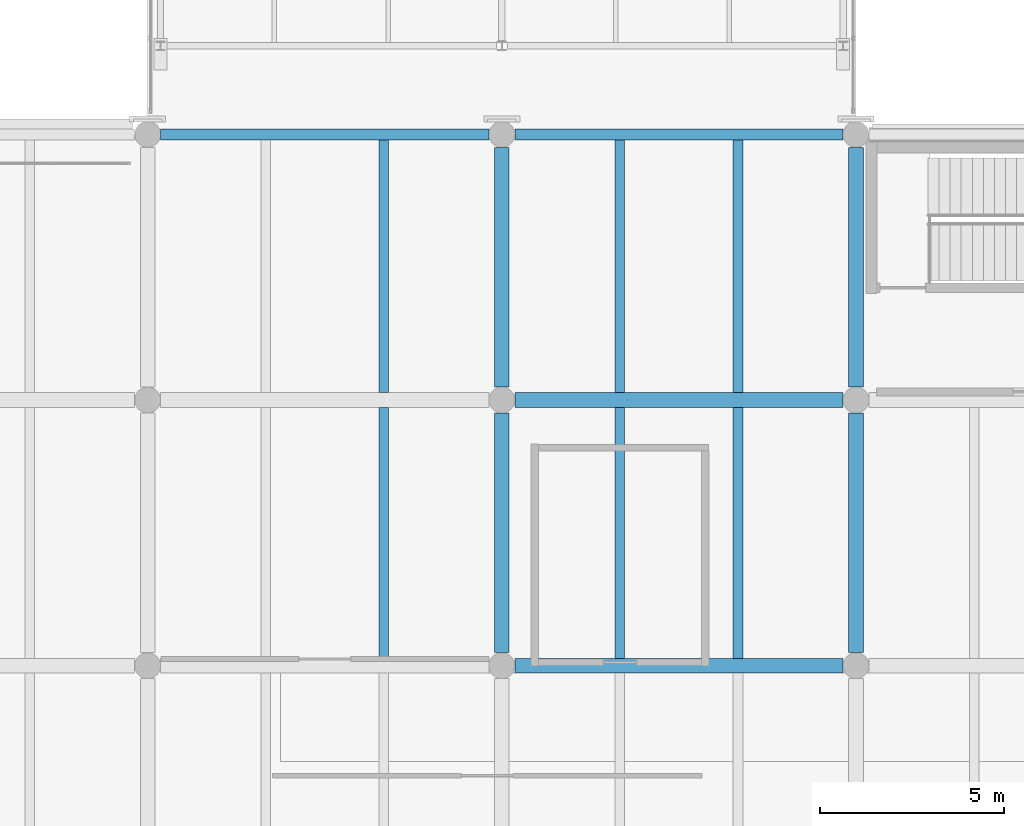
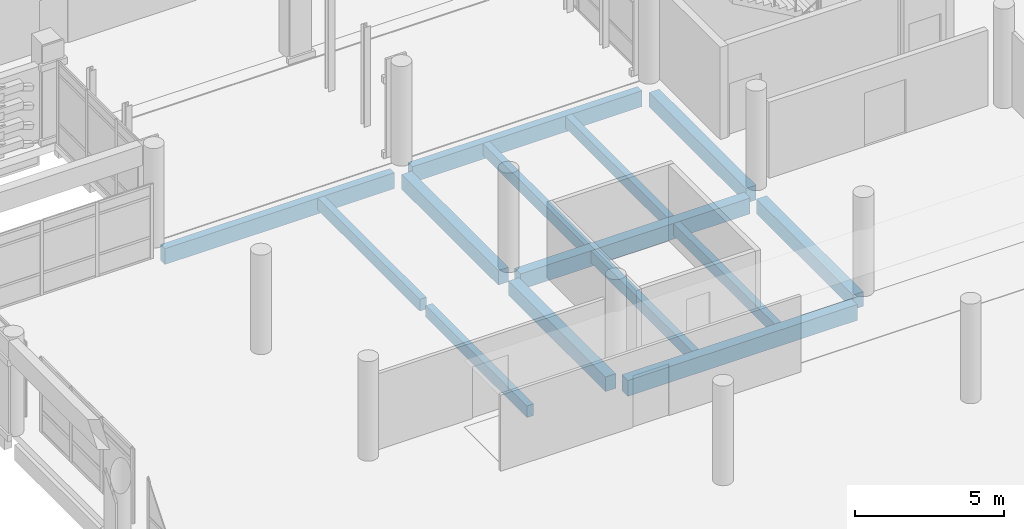
# One storey, part 43 of 180: 14 beams.
"""IFC4 building model written with IfcOpenShell, lengths in metres."""

from ifc_helpers import new_model, si_unit, direction, frame, origin, origin_2d, place, context, subcontext, project, spatial, rectangle, extrude, material, material_profile, profile_set, type_object, element, save


model = new_model("IFC4")

# Units and contexts
model_context = context("Model", 3, precision=1e-05, world=origin(), true_north=direction((0.0, 1.0)))
body_context = subcontext(model_context, "Body", "Model", "MODEL_VIEW")
ifc_project = project(units=[si_unit("LENGTHUNIT", "METRE"), si_unit("AREAUNIT", "SQUARE_METRE"), si_unit("VOLUMEUNIT", "CUBIC_METRE"), si_unit("PLANEANGLEUNIT", "RADIAN"), si_unit("MASSUNIT", "GRAM", prefix="KILO")], contexts=[model_context])

# Site, building, storey
site_placement = place(None, origin())
site = spatial("IfcSite", under=ifc_project, at=site_placement, CompositionType="ELEMENT")
building_placement = place(site_placement, origin())
building = spatial("IfcBuilding", under=site, at=building_placement, Name="Asteropetra Specialist Clinic", CompositionType="ELEMENT")
storey_placement = place(building_placement, frame((0.0, 0.0, 4.419921875)))
storey = spatial("IfcBuildingStorey", under=building, at=storey_placement, Name="L01", CompositionType="ELEMENT", Elevation=4.419921875)

# Beams
ifc_material_1 = material(Name="Concrete C35/45", Category="concrete")
ifc_material_profile_1 = material_profile(ifc_material_1, rectangle(XDim=0.39990234375, YDim=0.60009765625, at=origin_2d()), Name="RCB 400x600")
ifc_profile_set_1 = profile_set([ifc_material_profile_1], Name="Concrete C35/45")
beam_type_1 = type_object("IfcBeamType", Name="BM-RC400x600", PredefinedType="BEAM", material=ifc_profile_set_1)
for number, where, z_axis, x_axis, name in (
    (1, (19.199951171875, 48.35009765625, -0.599853515625), (0.0, 1.0, 0.0), (-1.0, 0.0, 0.0), "Beam BBM08-0366"),
    (2, (28.800048828125, 48.35009765625, -0.599853515625), (0.0, 1.0, 0.0), (-1.0, 0.0, 0.0), "Beam BBM08-0367"),
    (3, (19.199951171875, 55.550048828125, -0.599853515625), (0.0, 1.0, 0.0), (-1.0, 0.0, 0.0), "Beam BBM08-0382"),
    (4, (28.800048828125, 55.550048828125, -0.599853515625), (0.0, 1.0, 0.0), (-1.0, 0.0, 0.0), "Beam BBM08-0383"),
):
    element("IfcBeam", number, at=place(storey_placement, frame(where, z_axis=z_axis, x_axis=x_axis)), inside=storey, type_object=beam_type_1, Name=name, PredefinedType="BEAM", context=body_context, shape_type="SweptSolid", body=[
        extrude(rectangle(XDim=0.39990234375, YDim=0.60009765625, at=origin_2d()), origin(), (0.0, 0.0, 1.0), 6.5),
    ])
ifc_material_2 = material(Name="Concrete C35/45", Category="concrete")
ifc_material_profile_2 = material_profile(ifc_material_2, rectangle(XDim=0.39990234375, YDim=0.64990234375, at=origin_2d()), Name="RCB 400x650")
ifc_profile_set_2 = profile_set([ifc_material_profile_2], Name="Concrete C35/45")
beam_type_2 = type_object("IfcBeamType", Name="BM-RC400x650", PredefinedType="BEAM", material=ifc_profile_set_2)
for number, where, z_axis, x_axis, name in (
    (5, (19.550048828125, 48.0, -0.625), (1.0, 0.0, 0.0), (0.0, 1.0, 0.0), "Beam BBM07-0321"),
    (6, (19.550048828125, 55.199951171875, -0.625), (1.0, 0.0, 0.0), (0.0, 1.0, 0.0), "Beam BBM07-0326"),
):
    element("IfcBeam", number, at=place(storey_placement, frame(where, z_axis=z_axis, x_axis=x_axis)), inside=storey, type_object=beam_type_2, Name=name, PredefinedType="BEAM", context=body_context, shape_type="SweptSolid", body=[
        extrude(rectangle(XDim=0.39990234375, YDim=0.64990234375, at=origin_2d()), origin(), (0.0, 0.0, 1.0), 8.89990234375),
    ])
ifc_material_3 = material(Name="Concrete C35/45", Category="concrete")
ifc_material_profile_3 = material_profile(ifc_material_3, rectangle(XDim=0.260009765625, YDim=0.47998046875, at=origin_2d()), Name="RCJ 260x480")
ifc_profile_set_3 = profile_set([ifc_material_profile_3], Name="Concrete C35/45")
beam_type_3 = type_object("IfcBeamType", Name="JST-RC260x480", PredefinedType="JOIST", material=ifc_profile_set_3)
for number, where, z_axis, x_axis, name in (
    (7, (16.0, 48.199951171875, -0.5400390625), (0.0, 1.0, 0.0), (-1.0, 0.0, 0.0), "Joist JJST02-0373"),
    (8, (22.39990234375, 48.199951171875, -0.5400390625), (0.0, 1.0, 0.0), (-1.0, 0.0, 0.0), "Joist JJST02-0374"),
    (9, (25.60009765625, 48.199951171875, -0.5400390625), (0.0, 1.0, 0.0), (-1.0, 0.0, 0.0), "Joist JJST02-0375"),
):
    element("IfcBeam", number, at=place(storey_placement, frame(where, z_axis=z_axis, x_axis=x_axis)), inside=storey, type_object=beam_type_3, Name=name, PredefinedType="JOIST", context=body_context, shape_type="SweptSolid", body=[
        extrude(rectangle(XDim=0.260009765625, YDim=0.47998046875, at=origin_2d()), origin(), (0.0, 0.0, 1.0), 6.800048828125),
    ])
for number, where, z_axis, x_axis, name in (
    (10, (16.0, 55.39990234375, -0.5400390625), (0.0, 1.0, 0.0), (-1.0, 0.0, 0.0), "Joist JJST02-0389"),
    (11, (22.39990234375, 55.39990234375, -0.5400390625), (0.0, 1.0, 0.0), (-1.0, 0.0, 0.0), "Joist JJST02-0390"),
    (12, (25.60009765625, 55.39990234375, -0.5400390625), (0.0, 1.0, 0.0), (-1.0, 0.0, 0.0), "Joist JJST02-0391"),
):
    element("IfcBeam", number, at=place(storey_placement, frame(where, z_axis=z_axis, x_axis=x_axis)), inside=storey, type_object=beam_type_3, Name=name, PredefinedType="JOIST", context=body_context, shape_type="SweptSolid", body=[
        extrude(rectangle(XDim=0.260009765625, YDim=0.47998046875, at=origin_2d()), origin(), (0.0, 0.0, 1.0), 6.85009765625),
    ])
ifc_material_4 = material(Name="Concrete C35/45", Category="concrete")
ifc_material_profile_4 = material_profile(ifc_material_4, rectangle(XDim=0.300048828125, YDim=0.64990234375, at=origin_2d()), Name="RCS 300x650")
ifc_profile_set_4 = profile_set([ifc_material_profile_4], Name="Concrete C35/45")
beam_type_4 = type_object("IfcBeamType", Name="SPN-RC300x650", PredefinedType="SPANDREL", material=ifc_profile_set_4)
beam_1_placement = place(storey_placement, frame((9.949951171875, 62.39990234375, -0.625), z_axis=(1.0, 0.0, 0.0), x_axis=(0.0, 1.0, 0.0)))
element("IfcBeam", 13, at=beam_1_placement, inside=storey, type_object=beam_type_4, Name="Beam BSPN03-0330", PredefinedType="SPANDREL", context=body_context, shape_type="SweptSolid", body=[
    extrude(rectangle(XDim=0.300048828125, YDim=0.64990234375, at=origin_2d()), origin(), (0.0, 0.0, 1.0), 8.900146484375),
])
beam_2_placement = place(storey_placement, frame((19.550048828125, 62.39990234375, -0.625), z_axis=(1.0, 0.0, 0.0), x_axis=(0.0, 1.0, 0.0)))
element("IfcBeam", 14, at=beam_2_placement, inside=storey, type_object=beam_type_4, Name="Beam BSPN03-0331", PredefinedType="SPANDREL", context=body_context, shape_type="SweptSolid", body=[
    extrude(rectangle(XDim=0.300048828125, YDim=0.64990234375, at=origin_2d()), origin(), (0.0, 0.0, 1.0), 8.89990234375),
])

save(model, "model.ifc")
